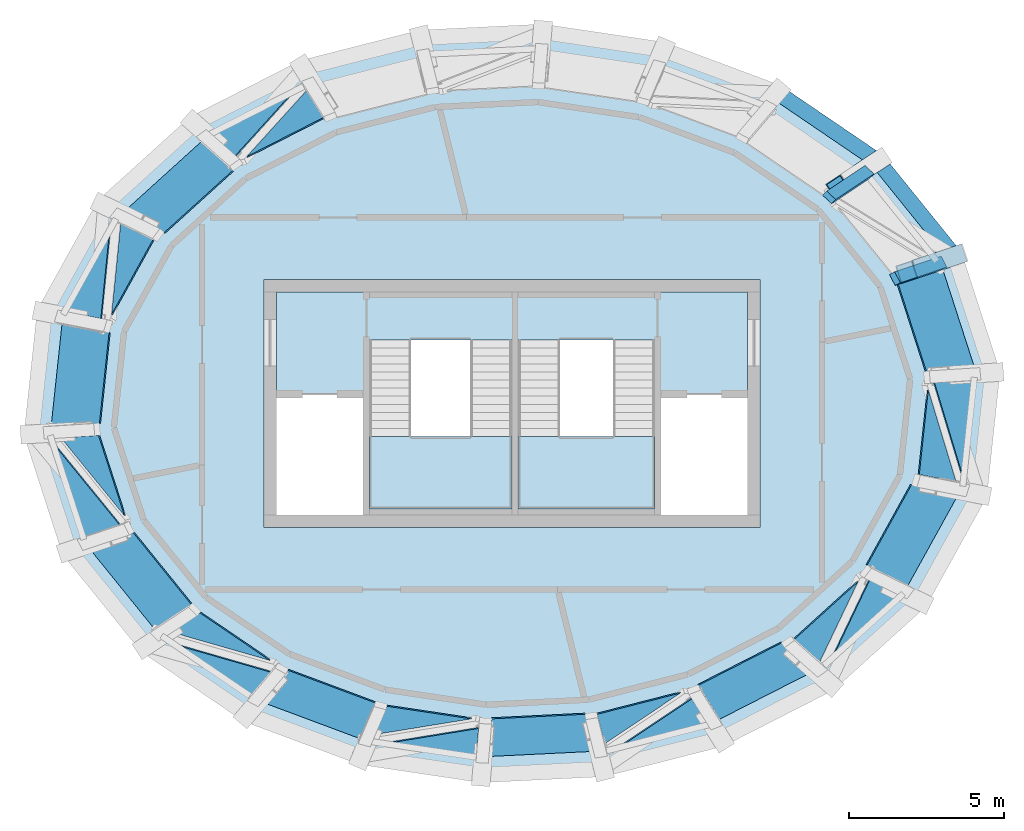
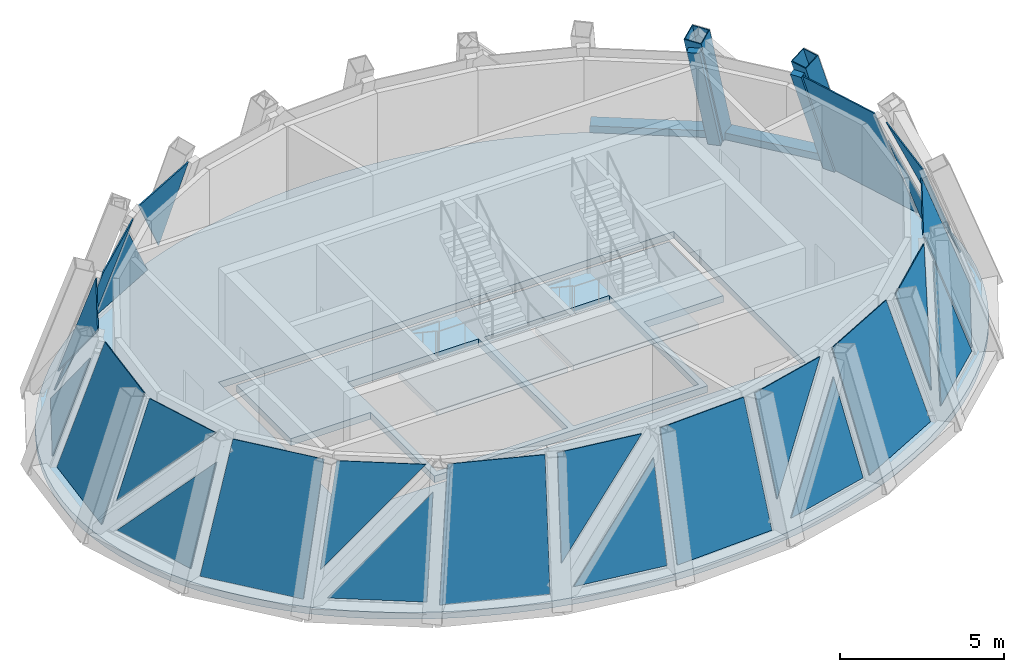
# One storey, part 3 of 6: 24 plates, 4 members, 4 slabs, 2 beams, 3 elements without a shape of their own.
"""IFC4 building model written with IfcOpenShell, lengths in metres."""

from ifc_helpers import new_model, si_unit, direction, frame, origin, origin_2d, place, context, subcontext, project, spatial, polyline, rectangle, hollow_rectangle, outline, extrude, source, transform, mapped, material, layer, layer_set, material_profile, profile_set, type_object, element, aggregate, save


model = new_model("IFC4")

# Units and contexts
model_context = context("Model", 3, precision=1e-05, world=origin(), true_north=direction((0.0, 1.0)))
body_context = subcontext(model_context, "Body", "Model", "MODEL_VIEW")
ifc_project = project(units=[si_unit("LENGTHUNIT", "METRE"), si_unit("AREAUNIT", "SQUARE_METRE"), si_unit("VOLUMEUNIT", "CUBIC_METRE"), si_unit("PLANEANGLEUNIT", "RADIAN"), si_unit("MASSUNIT", "GRAM", prefix="KILO")], contexts=[model_context])

# Site, building, storey
site_placement = place(None, origin())
site = spatial("IfcSite", under=ifc_project, at=site_placement, CompositionType="ELEMENT")
building_placement = place(site_placement, origin())
building = spatial("IfcBuilding", under=site, at=building_placement, Name="Embergate Tower", CompositionType="ELEMENT")
storey_placement = place(building_placement, frame((0.0, 0.0, 365.5)))
storey = spatial("IfcBuildingStorey", under=building, at=storey_placement, Name="L83", CompositionType="ELEMENT", Elevation=365.5)

# Beams
ifc_material_1 = material(Name="Steel Q355D", Category="steel")
ifc_material_profile_1 = material_profile(ifc_material_1, hollow_rectangle(XDim=0.5, YDim=0.5, WallThickness=0.02490234375, at=origin_2d()), Name="BOX 500x500x25")
ifc_profile_set_1 = profile_set([ifc_material_profile_1], Name="Steel Q355 grade D")
beam_type = type_object("IfcBeamType", Name="Glass point ring beam BOX 500x500x25", PredefinedType="BEAM", material=ifc_profile_set_1)
shared_shape_1 = source(origin(), body_context, "Body", "SweptSolid", [
    extrude(hollow_rectangle(XDim=0.5, YDim=0.5, WallThickness=0.02490234375, at=origin_2d()), origin(), (0.0, 0.0, 1.0), 3.9423828125),
])
beam_1_placement = place(storey_placement, frame((14.27392578125, 4.7529296875, 0.0), z_axis=(-0.628260705723, 0.778002882799, 0.0), x_axis=(-0.778002882799, -0.628260705723, 0.0)))
element("IfcBeam", 1, at=beam_1_placement, inside=storey, type_object=beam_type, Name="CRN-L83-RB01", PredefinedType="BEAM", context=body_context, shape_type="MappedRepresentation", body=[
    mapped(shared_shape_1, transform((0.0, 0.0, 0.0))),
])
shared_shape_2 = source(origin(), body_context, "Body", "SweptSolid", [
    extrude(hollow_rectangle(XDim=0.5, YDim=0.5, WallThickness=0.02490234375, at=origin_2d()), origin(), (0.0, 0.0, 1.0), 3.933837890625),
])
beam_2_placement = place(storey_placement, frame((11.797119140625, 7.820068359375, 0.0), z_axis=(-0.826955358406, 0.562267583276, 0.0), x_axis=(-0.562267583276, -0.826955358406, 0.0)))
element("IfcBeam", 2, at=beam_2_placement, inside=storey, type_object=beam_type, Name="CRN-L83-RB02", PredefinedType="BEAM", context=body_context, shape_type="MappedRepresentation", body=[
    mapped(shared_shape_2, transform((0.0, 0.0, 0.0))),
])

# Members
ifc_material_profile_2 = material_profile(ifc_material_1, hollow_rectangle(XDim=0.60009765625, YDim=0.60009765625, WallThickness=0.028076171875, at=origin_2d()), Name="BOX 600x600x28")
ifc_profile_set_2 = profile_set([ifc_material_profile_2], Name="Steel Q355 grade D")
member_type_1 = type_object("IfcMemberType", Name="Glass point hip BOX 600x600x28", PredefinedType="MEMBER", material=ifc_profile_set_2)
shared_shape_3 = source(origin(), body_context, "Body", "SweptSolid", [
    extrude(hollow_rectangle(XDim=0.60009765625, YDim=0.60009765625, WallThickness=0.028076171875, at=origin_2d()), origin(), (0.0, 0.0, 1.0), 5.069580078125),
])
member_1_placement = place(storey_placement, frame((14.321044921875, 4.76904296875, -0.14111328125), z_axis=(-0.314807704396, -0.105128532767, 0.943315483204), x_axis=(0.316750072759, -0.948509036018, 0.0)))
element("IfcMember", 3, at=member_1_placement, inside=storey, type_object=member_type_1, Name="CRN-L83-HP01", PredefinedType="MEMBER", context=body_context, shape_type="MappedRepresentation", body=[
    mapped(shared_shape_3, transform((0.0, 0.0, 0.0))),
])
shared_shape_4 = source(origin(), body_context, "Body", "SweptSolid", [
    extrude(hollow_rectangle(XDim=0.60009765625, YDim=0.60009765625, WallThickness=0.028076171875, at=origin_2d()), origin(), (0.0, 0.0, 1.0), 5.03955078125),
])
member_2_placement = place(storey_placement, frame((11.8359375, 7.845947265625, -0.14208984375), z_axis=(-0.261899083885, -0.173630469228, 0.949347844584), x_axis=(0.552563638116, -0.833470710842, 0.0)))
element("IfcMember", 4, at=member_2_placement, inside=storey, type_object=member_type_1, Name="CRN-L83-HP02", PredefinedType="MEMBER", context=body_context, shape_type="MappedRepresentation", body=[
    mapped(shared_shape_4, transform((0.0, 0.0, 0.0))),
])

# Curtain wall, members
ifc_material_2 = material(Name="Aluminium and glass", Category="aluminium")
curtain_wall_type = type_object("IfcCurtainWallType", Name="Crown facet glazing", PredefinedType="NOTDEFINED", material=ifc_material_2)
curtain_wall_placement = place(storey_placement, origin())
curtain_wall = element("IfcCurtainWall", 5, at=curtain_wall_placement, inside=storey, type_object=curtain_wall_type, Name="Crown facet glazing L83", ObjectType="CROWN FACET GLAZING", PredefinedType="USERDEFINED")
ifc_material_3 = material(Name="Aluminium, thermally broken", Category="aluminium")
ifc_material_profile_3 = material_profile(ifc_material_3, rectangle(XDim=0.199951171875, YDim=0.39990234375, at=origin_2d()), Name="AL 400x200")
ifc_profile_set_3 = profile_set([ifc_material_profile_3], Name="Aluminium, thermally broken")
member_type_2 = type_object("IfcMemberType", Name="Crown hip mullion", PredefinedType="MULLION", material=ifc_profile_set_3)
shared_shape_5 = source(origin(), body_context, "Body", "SweptSolid", [
    extrude(rectangle(XDim=0.199951171875, YDim=0.39990234375, at=origin_2d()), origin(), (0.0, 0.0, 1.0), 4.7705078125),
])
member_3_placement = place(storey_placement, frame((13.852294921875, 4.5244140625, -0.166259765625), z_axis=(-0.314847605018, -0.105017439125, 0.943314540911), x_axis=(0.830741152117, 0.450202191905, 0.327394448004)))
member_3 = element("IfcMember", 6, at=member_3_placement, type_object=member_type_2, Name="CW hip 2", PredefinedType="MULLION", context=body_context, shape_type="MappedRepresentation", body=[
    mapped(shared_shape_5, transform((0.0, 0.0, 0.0))),
])
shared_shape_6 = source(origin(), body_context, "Body", "SweptSolid", [
    extrude(rectangle(XDim=0.199951171875, YDim=0.39990234375, at=origin_2d()), origin(), (0.0, 0.0, 1.0), 4.740234375),
])
member_4_placement = place(storey_placement, frame((11.471435546875, 7.46630859375, -0.154541015625), z_axis=(-0.262000836675, -0.173619976495, 0.949321686966), x_axis=(0.644589009883, 0.700606756284, 0.306031340533)))
member_4 = element("IfcMember", 7, at=member_4_placement, type_object=member_type_2, Name="CW hip 3", PredefinedType="MULLION", context=body_context, shape_type="MappedRepresentation", body=[
    mapped(shared_shape_6, transform((0.0, 0.0, 0.0))),
])

# Slab
ifc_material_4 = material(Name="Concrete C50", Category="concrete")
ifc_layer_1 = layer(ifc_material_4, 0.25)
ifc_layer_set_1 = layer_set([ifc_layer_1], Name="Concrete C50")
slab_type_1 = type_object("IfcSlabType", Name="Crown floor slab C50 250", PredefinedType="FLOOR", material=ifc_layer_set_1)
shared_shape_7 = source(origin(), body_context, "Body", "SweptSolid", [
    extrude(outline(polyline([(0.0, 0.0), (0.64794921875, 0.0), (1.294921875, 0.02099609375), (1.94287109375, 0.06298828125), (2.5869140625, 0.126220703125), (3.22802734375, 0.211181640625), (3.868896484375, 0.317138671875), (4.50390625, 0.444091796875), (5.132080078125, 0.593017578125), (5.760009765625, 0.76416015625), (6.37890625, 0.95703125), (6.986083984375, 1.170166015625), (7.593017578125, 1.4091796875), (8.18701171875, 1.668212890625), (8.764892578125, 1.947998046875), (9.342041015625, 2.256103515625), (9.89990234375, 2.583984375), (10.43798828125, 2.93212890625), (10.972900390625, 3.31103515625), (11.48291015625, 3.710205078125), (11.968994140625, 4.126220703125), (12.445068359375, 4.5771484375), (12.89208984375, 5.046142578125), (13.307861328125, 5.531005859375), (13.70703125, 6.051025390625), (14.071044921875, 6.586181640625), (14.39892578125, 7.135009765625), (14.698974609375, 7.716064453125), (14.958984375, 8.30908203125), (15.177978515625, 8.912109375), (15.35888671875, 9.5380859375), (15.494873046875, 10.170166015625), (15.5859375, 10.80712890625), (15.632080078125, 11.4541015625), (15.632080078125, 12.10009765625), (15.5859375, 12.7470703125), (15.494873046875, 13.384033203125), (15.35888671875, 14.01611328125), (15.177978515625, 14.64208984375), (14.958984375, 15.2451171875), (14.698974609375, 15.838134765625), (14.39892578125, 16.419189453125), (14.071044921875, 16.968017578125), (13.70703125, 17.503173828125), (13.307861328125, 18.023193359375), (12.89208984375, 18.508056640625), (12.445068359375, 18.97705078125), (11.968994140625, 19.427978515625), (11.48291015625, 19.843994140625), (10.972900390625, 20.2431640625), (10.43798828125, 20.6220703125), (9.89990234375, 20.97021484375), (9.342041015625, 21.298095703125), (8.764892578125, 21.606201171875), (8.18701171875, 21.885986328125), (7.593017578125, 22.14501953125), (6.986083984375, 22.384033203125), (6.37890625, 22.59716796875), (5.760009765625, 22.7900390625), (5.132080078125, 22.961181640625), (4.50390625, 23.110107421875), (3.868896484375, 23.237060546875), (3.22802734375, 23.343017578125), (2.5869140625, 23.427978515625), (1.94287109375, 23.4912109375), (1.294921875, 23.533203125), (0.64794921875, 23.55419921875), (0.0, 23.55419921875), (-0.64697265625, 23.533203125), (-1.294921875, 23.4912109375), (-1.93896484375, 23.427978515625), (-2.580078125, 23.343017578125), (-3.220947265625, 23.237060546875), (-3.85595703125, 23.110107421875), (-4.484130859375, 22.961181640625), (-5.112060546875, 22.7900390625), (-5.73095703125, 22.59716796875), (-6.338134765625, 22.384033203125), (-6.945068359375, 22.14501953125), (-7.5390625, 21.885986328125), (-8.116943359375, 21.606201171875), (-8.694091796875, 21.298095703125), (-9.251953125, 20.97021484375), (-9.7900390625, 20.6220703125), (-10.324951171875, 20.2431640625), (-10.8349609375, 19.843994140625), (-11.321044921875, 19.427978515625), (-11.797119140625, 18.97705078125), (-12.244140625, 18.508056640625), (-12.659912109375, 18.023193359375), (-13.05908203125, 17.503173828125), (-13.423095703125, 16.968017578125), (-13.7509765625, 16.419189453125), (-14.051025390625, 15.838134765625), (-14.31103515625, 15.2451171875), (-14.530029296875, 14.64208984375), (-14.7109375, 14.01611328125), (-14.846923828125, 13.384033203125), (-14.93798828125, 12.7470703125), (-14.984130859375, 12.10009765625), (-14.984130859375, 11.4541015625), (-14.93798828125, 10.80712890625), (-14.846923828125, 10.170166015625), (-14.7109375, 9.5380859375), (-14.530029296875, 8.912109375), (-14.31103515625, 8.30908203125), (-14.051025390625, 7.716064453125), (-13.7509765625, 7.135009765625), (-13.423095703125, 6.586181640625), (-13.05908203125, 6.051025390625), (-12.659912109375, 5.531005859375), (-12.244140625, 5.046142578125), (-11.797119140625, 4.5771484375), (-11.321044921875, 4.126220703125), (-10.8349609375, 3.710205078125), (-10.324951171875, 3.31103515625), (-9.7900390625, 2.93212890625), (-9.251953125, 2.583984375), (-8.694091796875, 2.256103515625), (-8.116943359375, 1.947998046875), (-7.5390625, 1.668212890625), (-6.945068359375, 1.4091796875), (-6.338134765625, 1.170166015625), (-5.73095703125, 0.95703125), (-5.112060546875, 0.76416015625), (-4.484130859375, 0.593017578125), (-3.85595703125, 0.444091796875), (-3.220947265625, 0.317138671875), (-2.580078125, 0.211181640625), (-1.93896484375, 0.126220703125), (-1.294921875, 0.06298828125), (-0.64697265625, 0.02099609375), (0.0, 0.0)]), holes=[polyline([(-7.676025390625, 7.777099609375), (-7.676025390625, 15.777099609375), (8.323974609375, 15.777099609375), (8.323974609375, 7.777099609375), (-7.676025390625, 7.777099609375)])]), origin(), (0.0, 0.0, 1.0), 0.25),
])
slab_1_placement = place(storey_placement, frame((-0.323974609375, -11.777099609375, -0.25)))
element("IfcSlab", 8, at=slab_1_placement, inside=storey, type_object=slab_type_1, Name="SLB-L83-00", PredefinedType="FLOOR", context=body_context, shape_type="MappedRepresentation", body=[
    mapped(shared_shape_7, transform((0.0, 0.0, 0.0))),
])

# Plate
ifc_material_5 = material(Name="Triple glazing, low-emissivity coating", Category="glass")
ifc_layer_2 = layer(ifc_material_5, 0.0400390625)
ifc_layer_set_2 = layer_set([ifc_layer_2], Name="Triple glazing, low-emissivity coating")
plate_type = type_object("IfcPlateType", Name="Crown facet glazing unit", PredefinedType="CURTAIN_PANEL", material=ifc_layer_set_2)
shared_shape_8 = source(origin(), body_context, "Body", "SweptSolid", [
    extrude(outline(polyline([(0.0, 0.0), (3.348876953125, 0.0), (3.334716796875, 4.554443359375), (0.383544921875, 4.554931640625), (0.0, 0.0)])), origin(), (0.0, 0.0, -1.0), 0.0400390625),
])
plate_1_placement = place(storey_placement, frame((14.921630859375, 1.14208984375, 0.03369140625), z_axis=(0.897542292243, 0.290081543907, 0.332070070196), x_axis=(-0.307530043632, 0.951538371379, -7.527209e-06)))
plate_1 = element("IfcPlate", 9, at=plate_1_placement, type_object=plate_type, Name="CW panel 1.1", PredefinedType="CURTAIN_PANEL", context=body_context, shape_type="MappedRepresentation", body=[
    mapped(shared_shape_8, transform((0.0, 0.0, 0.0))),
])

shared_shape_9 = source(origin(), body_context, "Body", "SweptSolid", [
    extrude(outline(polyline([(0.0, 0.0), (3.05810546875, 0.0), (2.6591796875, 3.54833984375), (0.0, 0.0)])), origin(), (0.0, 0.0, -1.0), 0.0400390625),
])
plate_2_placement = place(storey_placement, frame((-7.018310546875, 10.09619140625, 0.15087890625), z_axis=(-0.435840687696, 0.853773259339, 0.284805401259), x_axis=(-0.890659610655, -0.454670713757, 0.0)))
plate_2 = element("IfcPlate", 10, at=plate_2_placement, type_object=plate_type, Name="CW panel 8.1", PredefinedType="CURTAIN_PANEL", context=body_context, shape_type="MappedRepresentation", body=[
    mapped(shared_shape_9, transform((0.0, 0.0, 0.0))),
])

shared_shape_10 = source(origin(), body_context, "Body", "SweptSolid", [
    extrude(outline(polyline([(0.0, 0.0), (4.486328125, 0.0), (2.820556640625, 2.222900390625), (0.0, 0.0)])), origin(), (0.0, 0.0, -1.0), 0.0400390625),
])
plate_3_placement = place(storey_placement, frame((-6.62255859375, 10.093505859375, 0.922607421875), z_axis=(-0.435813514694, 0.853766510325, 0.28486720811), x_axis=(-0.430457212769, -0.475679708826, 0.767095432515)))
plate_3 = element("IfcPlate", 11, at=plate_3_placement, type_object=plate_type, Name="CW panel 8.2", PredefinedType="CURTAIN_PANEL", context=body_context, shape_type="MappedRepresentation", body=[
    mapped(shared_shape_10, transform((0.0, 0.0, 0.0))),
])

shared_shape_11 = source(origin(), body_context, "Body", "SweptSolid", [
    extrude(outline(polyline([(0.0, 0.0), (3.382080078125, 0.0), (2.83154296875, 4.5224609375), (-0.15380859375, 4.522705078125), (0.0, 0.0)])), origin(), (0.0, 0.0, -1.0), 0.0400390625),
])
plate_4_placement = place(storey_placement, frame((-10.036865234375, 8.4267578125, 0.0009765625), z_axis=(-0.639843649821, 0.706430074882, 0.302583299417), x_axis=(-0.741171692453, -0.671315516113, 1.1466179e-05)))
plate_4 = element("IfcPlate", 12, at=plate_4_placement, type_object=plate_type, Name="CW panel 9.1", PredefinedType="CURTAIN_PANEL", context=body_context, shape_type="MappedRepresentation", body=[
    mapped(shared_shape_11, transform((0.0, 0.0, 0.0))),
])

shared_shape_12 = source(origin(), body_context, "Body", "SweptSolid", [
    extrude(outline(polyline([(0.0, 0.0), (3.038818359375, 0.0), (2.668212890625, 3.543212890625), (0.0, 0.0)])), origin(), (0.0, 0.0, -1.0), 0.0400390625),
])
plate_5_placement = place(storey_placement, frame((-12.975341796875, 5.62451171875, 0.152587890625), z_axis=(-0.82808526332, 0.457868130081, 0.323468038806), x_axis=(-0.483882067167, -0.875133215616, 0.0)))
plate_5 = element("IfcPlate", 13, at=plate_5_placement, type_object=plate_type, Name="CW panel 10.1", PredefinedType="CURTAIN_PANEL", context=body_context, shape_type="MappedRepresentation", body=[
    mapped(shared_shape_12, transform((0.0, 0.0, 0.0))),
])

shared_shape_13 = source(origin(), body_context, "Body", "SweptSolid", [
    extrude(outline(polyline([(0.0, 0.0), (4.494384765625, 0.0), (2.8310546875, 2.20849609375), (0.0, 0.0)])), origin(), (0.0, 0.0, -1.0), 0.0400390625),
])
plate_6_placement = place(storey_placement, frame((-12.6220703125, 5.797607421875, 0.951171875), z_axis=(-0.828205418682, 0.457718854272, 0.323371666831), x_axis=(-0.064914282185, -0.651478649573, 0.755884716818)))
plate_6 = element("IfcPlate", 14, at=plate_6_placement, type_object=plate_type, Name="CW panel 10.2", PredefinedType="CURTAIN_PANEL", context=body_context, shape_type="MappedRepresentation", body=[
    mapped(shared_shape_13, transform((0.0, 0.0, 0.0))),
])

shared_shape_14 = source(origin(), body_context, "Body", "SweptSolid", [
    extrude(outline(polyline([(0.0, 0.0), (3.343017578125, 0.0), (3.078857421875, 4.560791015625), (0.1328125, 4.560791015625), (0.0, 0.0)])), origin(), (0.0, 0.0, -1.0), 0.0400390625),
])
plate_7_placement = place(storey_placement, frame((-14.51171875, 2.575439453125, -0.00146484375), z_axis=(-0.936217690418, 0.099561077052, 0.337022296125), x_axis=(-0.105747839853, -0.994392977834, -4.82186e-07)))
plate_7 = element("IfcPlate", 15, at=plate_7_placement, type_object=plate_type, Name="CW panel 11.1", PredefinedType="CURTAIN_PANEL", context=body_context, shape_type="MappedRepresentation", body=[
    mapped(shared_shape_14, transform((0.0, 0.0, 0.0))),
])

shared_shape_15 = source(origin(), body_context, "Body", "SweptSolid", [
    extrude(outline(polyline([(0.0, 0.0), (3.027099609375, 0.0), (3.01611328125, 3.5341796875), (0.0, 0.0)])), origin(), (0.0, 0.0, -1.0), 0.0400390625),
])
plate_8_placement = place(storey_placement, frame((-14.7021484375, -1.40869140625, 0.123291015625), z_axis=(-0.897598068626, -0.290095053032, 0.331907468137), x_axis=(0.307528229051, -0.951538957866, 0.0)))
plate_8 = element("IfcPlate", 16, at=plate_8_placement, type_object=plate_type, Name="CW panel 12.1", PredefinedType="CURTAIN_PANEL", context=body_context, shape_type="MappedRepresentation", body=[
    mapped(shared_shape_15, transform((0.0, 0.0, 0.0))),
])

shared_shape_16 = source(origin(), body_context, "Body", "SweptSolid", [
    extrude(outline(polyline([(0.0, 0.0), (4.653564453125, 0.0), (2.88623046875, 2.0712890625), (0.0, 0.0)])), origin(), (0.0, 0.0, -1.0), 0.0400390625),
])
plate_9_placement = place(storey_placement, frame((-14.548095703125, -1.111083984375, 0.98095703125), z_axis=(-0.897593679928, -0.289838268267, 0.332143589432), x_axis=(0.439895435099, -0.540045749423, 0.717525326876)))
plate_9 = element("IfcPlate", 17, at=plate_9_placement, type_object=plate_type, Name="CW panel 12.2", PredefinedType="CURTAIN_PANEL", context=body_context, shape_type="MappedRepresentation", body=[
    mapped(shared_shape_16, transform((0.0, 0.0, 0.0))),
])

shared_shape_17 = source(origin(), body_context, "Body", "SweptSolid", [
    extrude(outline(polyline([(0.0, 0.0), (3.36962890625, 0.0), (3.50341796875, 4.533447265625), (0.530029296875, 4.533203125), (0.0, 0.0)])), origin(), (0.0, 0.0, -1.0), 0.0400390625),
])
plate_10_placement = place(storey_placement, frame((-13.654052734375, -4.64990234375, 0.014404296875), z_axis=(-0.738866952316, -0.596708263474, 0.313073274295), x_axis=(0.628288914142, -0.777980102629, -1.6740143e-05)))
plate_10 = element("IfcPlate", 18, at=plate_10_placement, type_object=plate_type, Name="CW panel 13.1", PredefinedType="CURTAIN_PANEL", context=body_context, shape_type="MappedRepresentation", body=[
    mapped(shared_shape_17, transform((0.0, 0.0, 0.0))),
])

shared_shape_18 = source(origin(), body_context, "Body", "SweptSolid", [
    extrude(outline(polyline([(0.0, 0.0), (3.033203125, 0.0), (3.145263671875, 3.52294921875), (0.0, 0.0)])), origin(), (0.0, 0.0, -1.0), 0.0400390625),
])
plate_11_placement = place(storey_placement, frame((-10.96240234375, -7.755859375, 0.1513671875), z_axis=(-0.537632268238, -0.790671904363, 0.292898418909), x_axis=(0.826938478284, -0.562292408924, 0.0)))
plate_11 = element("IfcPlate", 19, at=plate_11_placement, type_object=plate_type, Name="CW panel 14.1", PredefinedType="CURTAIN_PANEL", context=body_context, shape_type="MappedRepresentation", body=[
    mapped(shared_shape_18, transform((0.0, 0.0, 0.0))),
])

shared_shape_19 = source(origin(), body_context, "Body", "SweptSolid", [
    extrude(outline(polyline([(0.0, 0.0), (4.728759765625, 0.0), (2.9130859375, 2.033935546875), (0.0, 0.0)])), origin(), (0.0, 0.0, -1.0), 0.0400390625),
])
plate_12_placement = place(storey_placement, frame((-10.99853515625, -7.374267578125, 0.961669921875), z_axis=(-0.537680433858, -0.790595720739, 0.293015626537), x_axis=(0.673597405857, -0.193761865883, 0.713248115422)))
plate_12 = element("IfcPlate", 20, at=plate_12_placement, type_object=plate_type, Name="CW panel 14.2", PredefinedType="CURTAIN_PANEL", context=body_context, shape_type="MappedRepresentation", body=[
    mapped(shared_shape_19, transform((0.0, 0.0, 0.0))),
])

shared_shape_20 = source(origin(), body_context, "Body", "SweptSolid", [
    extrude(outline(polyline([(0.0, 0.0), (3.407470703125, 0.0), (3.465087890625, 4.500244140625), (0.4541015625, 4.500244140625), (0.0, 0.0)])), origin(), (0.0, 0.0, -1.0), 0.0400390625),
])
plate_13_placement = place(storey_placement, frame((-8.098388671875, -9.621337890625, 0.014892578125), z_axis=(-0.335762135995, -0.899908288542, 0.278260418034), x_axis=(0.936910502295, -0.349569321692, -4.522827e-06)))
plate_13 = element("IfcPlate", 21, at=plate_13_placement, type_object=plate_type, Name="CW panel 15.1", PredefinedType="CURTAIN_PANEL", context=body_context, shape_type="MappedRepresentation", body=[
    mapped(shared_shape_20, transform((0.0, 0.0, 0.0))),
])

shared_shape_21 = source(origin(), body_context, "Body", "SweptSolid", [
    extrude(outline(polyline([(0.0, 0.0), (3.04833984375, 0.0), (2.984619140625, 3.531982421875), (0.0, 0.0)])), origin(), (0.0, 0.0, -1.0), 0.0400390625),
])
plate_14_placement = place(storey_placement, frame((-4.1689453125, -10.98828125, 0.150390625), z_axis=(-0.142046613387, -0.952298386927, 0.270093579858), x_axis=(0.989057627431, -0.147529690641, 0.0)))
plate_14 = element("IfcPlate", 22, at=plate_14_placement, type_object=plate_type, Name="CW panel 16.1", PredefinedType="CURTAIN_PANEL", context=body_context, shape_type="MappedRepresentation", body=[
    mapped(shared_shape_21, transform((0.0, 0.0, 0.0))),
])

shared_shape_22 = source(origin(), body_context, "Body", "SweptSolid", [
    extrude(outline(polyline([(0.0, 0.0), (4.651611328125, 0.0), (2.87548828125, 2.10205078125), (0.0, 0.0)])), origin(), (0.0, 0.0, -1.0), 0.0400390625),
])
plate_15_placement = place(storey_placement, frame((-4.426025390625, -10.68310546875, 0.9248046875), z_axis=(-0.142044463659, -0.95228726719, 0.270133913257), x_axis=(0.668814081794, 0.108853520022, 0.735417320419)))
plate_15 = element("IfcPlate", 23, at=plate_15_placement, type_object=plate_type, Name="CW panel 16.2", PredefinedType="CURTAIN_PANEL", context=body_context, shape_type="MappedRepresentation", body=[
    mapped(shared_shape_22, transform((0.0, 0.0, 0.0))),
])

shared_shape_23 = source(origin(), body_context, "Body", "SweptSolid", [
    extrude(outline(polyline([(0.0, 0.0), (3.417236328125, 0.0), (3.1787109375, 4.4921875), (0.158447265625, 4.4921875), (0.0, 0.0)])), origin(), (0.0, 0.0, -1.0), 0.0400390625),
])
plate_16_placement = place(storey_placement, frame((-0.759521484375, -11.39013671875, 0.003173828125), z_axis=(0.047125009668, -0.962117348553, 0.26853201127), x_axis=(0.998802544779, 0.048923169567, 4.6572e-06)))
plate_16 = element("IfcPlate", 24, at=plate_16_placement, type_object=plate_type, Name="CW panel 17.1", PredefinedType="CURTAIN_PANEL", context=body_context, shape_type="MappedRepresentation", body=[
    mapped(shared_shape_23, transform((0.0, 0.0, 0.0))),
])

shared_shape_24 = source(origin(), body_context, "Body", "SweptSolid", [
    extrude(outline(polyline([(0.0, 0.0), (3.05859375, 0.0), (2.750732421875, 3.54541015625), (0.0, 0.0)])), origin(), (0.0, 0.0, -1.0), 0.0400390625),
])
plate_17_placement = place(storey_placement, frame((3.381103515625, -11.146240234375, 0.150390625), z_axis=(0.237858098295, -0.932007571079, 0.27346921678), x_axis=(0.968942944242, 0.247284392558, 0.0)))
plate_17 = element("IfcPlate", 25, at=plate_17_placement, type_object=plate_type, Name="CW panel 18.1", PredefinedType="CURTAIN_PANEL", context=body_context, shape_type="MappedRepresentation", body=[
    mapped(shared_shape_24, transform((0.0, 0.0, 0.0))),
])

shared_shape_25 = source(origin(), body_context, "Body", "SweptSolid", [
    extrude(outline(polyline([(0.0, 0.0), (4.531005859375, 0.0), (2.831787109375, 2.189697265625), (0.0, 0.0)])), origin(), (0.0, 0.0, -1.0), 0.0400390625),
])
plate_18_placement = place(storey_placement, frame((2.985595703125, -10.97900390625, 0.900634765625), z_axis=(0.237997906564, -0.93199607412, 0.273386748574), x_axis=(0.54054325833, 0.360954873161, 0.759950370363)))
plate_18 = element("IfcPlate", 26, at=plate_18_placement, type_object=plate_type, Name="CW panel 18.2", PredefinedType="CURTAIN_PANEL", context=body_context, shape_type="MappedRepresentation", body=[
    mapped(shared_shape_25, transform((0.0, 0.0, 0.0))),
])

shared_shape_26 = source(origin(), body_context, "Body", "SweptSolid", [
    extrude(outline(polyline([(0.0, 0.0), (3.40087890625, 0.0), (2.894287109375, 4.505859375), (-0.110107421875, 4.505859375), (0.0, 0.0)])), origin(), (0.0, 0.0, -1.0), 0.0400390625),
])
plate_19_placement = place(storey_placement, frame((6.69580078125, -10.1875, 0.002197265625), z_axis=(0.435804311367, -0.853778935951, 0.284844046314), x_axis=(0.890676318008, 0.454637984048, -8.60671e-07)))
plate_19 = element("IfcPlate", 27, at=plate_19_placement, type_object=plate_type, Name="CW panel 19.1", PredefinedType="CURTAIN_PANEL", context=body_context, shape_type="MappedRepresentation", body=[
    mapped(shared_shape_26, transform((0.0, 0.0, 0.0))),
])

shared_shape_27 = source(origin(), body_context, "Body", "SweptSolid", [
    extrude(outline(polyline([(0.0, 0.0), (3.051025390625, 0.0), (2.619384765625, 3.546875), (0.0, 0.0)])), origin(), (0.0, 0.0, -1.0), 0.0400390625),
])
plate_20_placement = place(storey_placement, frame((10.312744140625, -8.260986328125, 0.151611328125), z_axis=(0.639882493197, -0.706387562812, 0.302600406484), x_axis=(0.741133756351, 0.671357397515, 0.0)))
plate_20 = element("IfcPlate", 28, at=plate_20_placement, type_object=plate_type, Name="CW panel 20.1", PredefinedType="CURTAIN_PANEL", context=body_context, shape_type="MappedRepresentation", body=[
    mapped(shared_shape_27, transform((0.0, 0.0, 0.0))),
])

shared_shape_28 = source(origin(), body_context, "Body", "SweptSolid", [
    extrude(outline(polyline([(0.0, 0.0), (4.4697265625, 0.0), (2.81982421875, 2.234130859375), (0.0, 0.0)])), origin(), (0.0, 0.0, -1.0), 0.0400390625),
])
plate_21_placement = place(storey_placement, frame((9.921142578125, -8.345947265625, 0.929931640625), z_axis=(0.639869271661, -0.706394897129, 0.30261124317), x_axis=(0.276825506937, 0.579214221697, 0.76673236797)))
plate_21 = element("IfcPlate", 29, at=plate_21_placement, type_object=plate_type, Name="CW panel 20.2", PredefinedType="CURTAIN_PANEL", context=body_context, shape_type="MappedRepresentation", body=[
    mapped(shared_shape_28, transform((0.0, 0.0, 0.0))),
])

shared_shape_29 = source(origin(), body_context, "Body", "SweptSolid", [
    extrude(outline(polyline([(0.0, 0.0), (3.358154296875, 0.0), (2.8828125, 4.544921875), (-0.077880859375, 4.544677734375), (0.0, 0.0)])), origin(), (0.0, 0.0, -1.0), 0.0400390625),
])
plate_22_placement = place(storey_placement, frame((12.77587890625, -5.864013671875, -0.00048828125), z_axis=(0.828099225416, -0.457920352221, 0.323358352122), x_axis=(0.483916967439, 0.875113917505, 3.73405e-06)))
plate_22 = element("IfcPlate", 30, at=plate_22_placement, type_object=plate_type, Name="CW panel 21.1", PredefinedType="CURTAIN_PANEL", context=body_context, shape_type="MappedRepresentation", body=[
    mapped(shared_shape_29, transform((0.0, 0.0, 0.0))),
])

shared_shape_30 = source(origin(), body_context, "Body", "SweptSolid", [
    extrude(outline(polyline([(0.0, 0.0), (3.029052734375, 0.0), (2.823974609375, 3.540283203125), (0.0, 0.0)])), origin(), (0.0, 0.0, -1.0), 0.0400390625),
])
plate_23_placement = place(storey_placement, frame((14.515625, -2.267578125, 0.122802734375), z_axis=(0.936225288494, -0.099640415319, 0.336977739354), x_axis=(0.105830143738, 0.994384221856, 0.0)))
plate_23 = element("IfcPlate", 31, at=plate_23_placement, type_object=plate_type, Name="CW panel 22.1", PredefinedType="CURTAIN_PANEL", context=body_context, shape_type="MappedRepresentation", body=[
    mapped(shared_shape_30, transform((0.0, 0.0, 0.0))),
])

shared_shape_31 = source(origin(), body_context, "Body", "SweptSolid", [
    extrude(outline(polyline([(0.0, 0.0), (4.56640625, 0.0), (2.85546875, 2.14453125), (0.0, 0.0)])), origin(), (0.0, 0.0, -1.0), 0.0400390625),
])
plate_24_placement = place(storey_placement, frame((14.322998046875, -2.526611328125, 0.982177734375), z_axis=(0.936240245058, -0.099539413919, 0.336966034802), x_axis=(-0.196001668933, 0.647992424297, 0.735995355848)))
plate_24 = element("IfcPlate", 32, at=plate_24_placement, type_object=plate_type, Name="CW panel 22.2", PredefinedType="CURTAIN_PANEL", context=body_context, shape_type="MappedRepresentation", body=[
    mapped(shared_shape_31, transform((0.0, 0.0, 0.0))),
])

aggregate(curtain_wall, [member_3, member_4, plate_1, plate_2, plate_3, plate_4, plate_5, plate_6, plate_7, plate_8, plate_9, plate_10, plate_11, plate_12, plate_13, plate_14, plate_15, plate_16, plate_17, plate_18, plate_19, plate_20, plate_21, plate_22, plate_23, plate_24])

# Stair, slab
ifc_material_6 = material(Name="Exit stair")
stair_type = type_object("IfcStairType", Name="Exit stair", PredefinedType="HALF_TURN_STAIR", material=ifc_material_6)
stair_1_placement = place(storey_placement, origin())
stair_1 = element("IfcStair", 33, at=stair_1_placement, inside=storey, type_object=stair_type, Name="L83 Exit stair 1", PredefinedType="HALF_TURN_STAIR")
ifc_material_7 = material(Name="Concrete C40", Category="concrete")
ifc_layer_3 = layer(ifc_material_7, 0.199951171875)
ifc_layer_set_3 = layer_set([ifc_layer_3], Name="Concrete C40")
slab_type_2 = type_object("IfcSlabType", Name="Stair landing reinforced concrete", PredefinedType="LANDING", material=ifc_layer_set_3)
shared_shape_32 = source(origin(), body_context, "Body", "SweptSolid", [
    extrude(outline(polyline([(0.0, 0.0), (4.400146484375, 0.0), (4.400146484375, 2.329833984375), (0.0, 2.329833984375), (0.0, 0.0)])), origin(), (0.0, 0.0, 1.0), 0.199951171875),
])
slab_2_placement = place(storey_placement, frame((0.199951171875, -3.39990234375, 2.050048828125)))
slab_2 = element("IfcSlab", 34, at=slab_2_placement, type_object=slab_type_2, Name="ST1 landing 1", PredefinedType="LANDING", context=body_context, shape_type="MappedRepresentation", body=[
    mapped(shared_shape_32, transform((0.0, 0.0, 0.0))),
])
aggregate(stair_1, [slab_2])

stair_2_placement = place(storey_placement, origin())
stair_2 = element("IfcStair", 35, at=stair_2_placement, inside=storey, type_object=stair_type, Name="L83 Exit stair 3", PredefinedType="HALF_TURN_STAIR")
shared_shape_33 = source(origin(), body_context, "Body", "SweptSolid", [
    extrude(outline(polyline([(0.0, 0.0), (4.60009765625, 0.0), (4.60009765625, 2.329833984375), (0.0, 2.329833984375), (0.0, 0.0)])), origin(), (0.0, 0.0, 1.0), 0.199951171875),
])
slab_3_placement = place(storey_placement, frame((-4.60009765625, -3.39990234375, 2.050048828125)))
slab_3 = element("IfcSlab", 36, at=slab_3_placement, type_object=slab_type_2, Name="ST3 landing 1", PredefinedType="LANDING", context=body_context, shape_type="MappedRepresentation", body=[
    mapped(shared_shape_33, transform((0.0, 0.0, 0.0))),
])
aggregate(stair_2, [slab_3])

# Slab
ifc_layer_4 = layer(ifc_material_7, 0.25)
ifc_layer_set_4 = layer_set([ifc_layer_4], Name="Concrete C40")
slab_type_3 = type_object("IfcSlabType", Name="Core floor slab 250 reinforced concrete", PredefinedType="FLOOR", material=ifc_layer_set_4)
shared_shape_34 = source(origin(), body_context, "Body", "SweptSolid", [
    extrude(outline(polyline([(0.0, 0.0), (9.60009765625, 0.0), (9.60009765625, 3.900146484375), (12.400146484375, 3.900146484375), (12.400146484375, 7.2001953125), (-2.800048828125, 7.2001953125), (-2.800048828125, 3.900146484375), (0.0, 3.900146484375), (0.0, 0.0)]), holes=[polyline([(0.199951171875, 0.2001953125), (0.199951171875, 5.64013671875), (4.800048828125, 5.64013671875), (4.800048828125, 0.2001953125), (0.199951171875, 0.2001953125)]), polyline([(5.0, 0.2001953125), (5.0, 5.64013671875), (9.400146484375, 5.64013671875), (9.400146484375, 0.2001953125), (5.0, 0.2001953125)])]), origin(), (0.0, 0.0, 1.0), 0.25),
])
slab_4_placement = place(storey_placement, frame((-4.800048828125, -3.60009765625, -0.25)))
element("IfcSlab", 37, at=slab_4_placement, inside=storey, type_object=slab_type_3, Name="Core floor slab", PredefinedType="FLOOR", context=body_context, shape_type="MappedRepresentation", body=[
    mapped(shared_shape_34, transform((0.0, 0.0, 0.0))),
])

save(model, "model.ifc")
